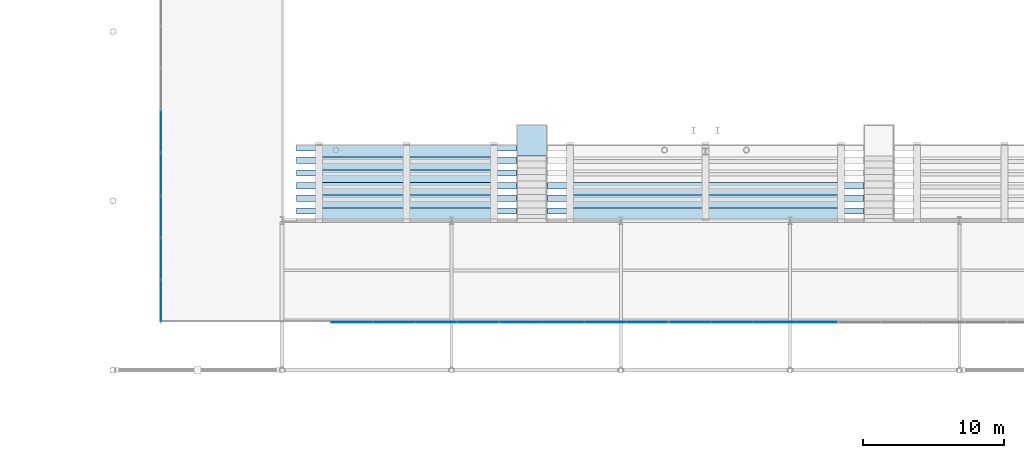
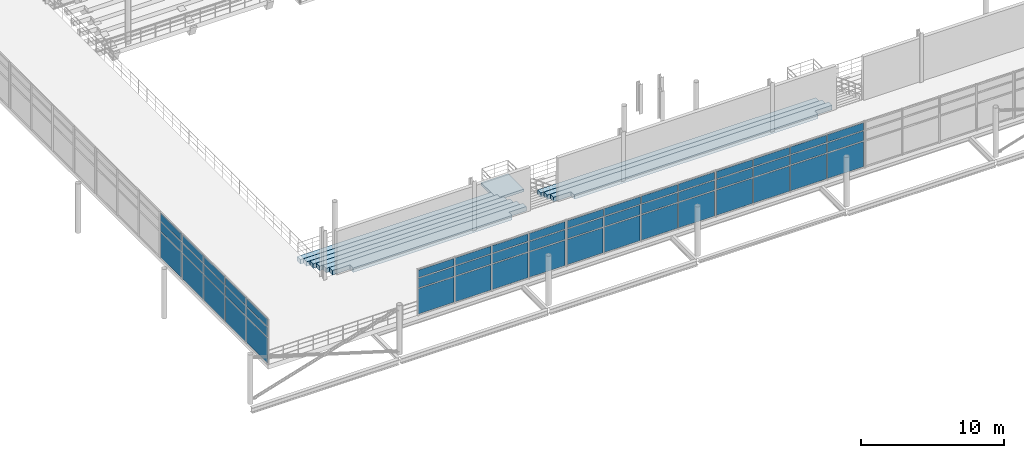
# One storey, part 54 of 89: 51 plates, 10 slabs, 6 elements without a shape of their own.
"""IFC4 building model written with IfcOpenShell, lengths in metres."""

import ifcopenshell
import ifcopenshell.guid

model = None  # the IFC model being written
_history = None  # IfcOwnerHistory: only IFC2X3 demands one
_inside = {}  # id of a spatial element -> (the spatial element, [elements in it])
_under = {}  # id of a project, library or spatial element -> (it, [spatial elements below it])
_declared = {}  # id of a project -> (the project, [libraries it declares])
_typed = {}  # id of a type object -> (the type object, [elements of that type])
_made_of = {}  # id of a material, layer set ... -> (it, [elements and type objects made of it])


def new_model(schema):
    """Start an empty IFC model of exactly this schema.

    Asked for "IFC4X3", IfcOpenShell would pick the latest addendum, in which some entities
    have other attributes; the version numbers below select the first issue.
    IFC2X3 requires an IfcOwnerHistory on every rooted entity: one is made here for all.
    """
    global model, _history
    if schema == "IFC4X3":
        model = ifcopenshell.file(schema_version=(4, 3, 0, 0))
    else:
        model = ifcopenshell.file(schema=schema)
    _inside.clear()
    _under.clear()
    _declared.clear()
    _typed.clear()
    _made_of.clear()
    _history = None
    if model.schema == "IFC2X3":
        org = make("IfcOrganization", Name="unknown")
        user = make(
            "IfcPersonAndOrganization",
            ThePerson=make("IfcPerson", FamilyName="unknown"),
            TheOrganization=org,
        )
        app = make(
            "IfcApplication",
            ApplicationDeveloper=org,
            Version="unknown",
            ApplicationFullName="unknown",
            ApplicationIdentifier="unknown",
        )
        _history = make(
            "IfcOwnerHistory",
            OwningUser=user,
            OwningApplication=app,
            ChangeAction="ADDED",
            CreationDate=0,
        )
    return model


def make(cls, **values):
    """One entity of the class cls with the attributes given. An attribute that is None is left unset."""
    return model.create_entity(
        cls, **{name: value for name, value in values.items() if value is not None}
    )


def rooted(cls, **values):
    """An entity with a GlobalId (a new one), such as an element, a storey or a relation."""
    return make(cls, GlobalId=ifcopenshell.guid.new(), OwnerHistory=_history, **values)


def si_unit(unit_type, name, prefix=None):
    """IfcSIUnit, for example si_unit("LENGTHUNIT", "METRE", prefix="MILLI")."""
    return make("IfcSIUnit", UnitType=unit_type, Prefix=prefix, Name=name)


def assignment(units):
    """IfcUnitAssignment: the units of a project."""
    return None if units is None else make("IfcUnitAssignment", Units=units)


def point(xyz):
    """IfcCartesianPoint."""
    return None if xyz is None else make("IfcCartesianPoint", Coordinates=xyz)


def direction(xyz):
    """IfcDirection."""
    return None if xyz is None else make("IfcDirection", DirectionRatios=xyz)


def frame(location, z_axis=None, x_axis=None):
    """IfcAxis2Placement3D, a coordinate frame: its origin and axes. An axis left out is left unset."""
    return make(
        "IfcAxis2Placement3D",
        Location=point(location),
        Axis=direction(z_axis),
        RefDirection=direction(x_axis),
    )


def frame_2d(location, x_axis=None):
    """IfcAxis2Placement2D, a coordinate frame in the plane: its origin and x axis."""
    return make(
        "IfcAxis2Placement2D", Location=point(location), RefDirection=direction(x_axis)
    )


def origin():
    """The frame at (0, 0, 0) with its axes left unset."""
    return frame((0.0, 0.0, 0.0))


def origin_2d():
    """The frame at (0, 0) in the plane with its x axis left unset."""
    return frame_2d((0.0, 0.0))


def place(relative_to, where):
    """IfcLocalPlacement: puts the frame where relative to a parent placement (None: the world)."""
    return make(
        "IfcLocalPlacement", PlacementRelTo=relative_to, RelativePlacement=where
    )


def context(
    kind, dimensions, precision=None, world=None, true_north=None, identifier=None
):
    """IfcGeometricRepresentationContext, for example the 3D "Model" context."""
    return make(
        "IfcGeometricRepresentationContext",
        ContextIdentifier=identifier,
        ContextType=kind,
        CoordinateSpaceDimension=dimensions,
        Precision=precision,
        WorldCoordinateSystem=world,
        TrueNorth=true_north,
    )


def subcontext(parent, identifier, kind, view, scale=None):
    """IfcGeometricRepresentationSubContext, for example "Body" below "Model"."""
    return make(
        "IfcGeometricRepresentationSubContext",
        ContextIdentifier=identifier,
        ContextType=kind,
        ParentContext=parent,
        TargetScale=scale,
        TargetView=view,
    )


def project(units=None, contexts=None):
    """IfcProject with its units and contexts."""
    return rooted(
        "IfcProject",
        Name="project",
        RepresentationContexts=contexts,
        UnitsInContext=assignment(units),
    )


def spatial(cls, under=None, at=None, **own):
    """A site, building, storey or space (cls), placed at a placement, below another one or the project."""
    s = rooted(cls, ObjectPlacement=at, **own)
    if under is not None:
        _under.setdefault(under.id(), (under, []))[1].append(s)
    return s


def polyline(points):
    """IfcPolyline through the points."""
    return make("IfcPolyline", Points=[point(p) for p in points])


def profile(cls, at=None, kind="AREA", **sizes):
    """A parametric profile (cls). Its sizes go by their IFC names, for example OverallWidth=200.0."""
    return make(cls, ProfileType=kind, Position=at, **sizes)


def rectangle(**sizes):
    """IfcRectangleProfileDef."""
    return profile("IfcRectangleProfileDef", **sizes)


def outline(outer, holes=None, kind="AREA"):
    """IfcArbitraryClosedProfileDef: a profile drawn as a closed curve; with holes, ...WithVoids."""
    if holes is None:
        return make("IfcArbitraryClosedProfileDef", ProfileType=kind, OuterCurve=outer)
    return make(
        "IfcArbitraryProfileDefWithVoids",
        ProfileType=kind,
        OuterCurve=outer,
        InnerCurves=holes,
    )


def extrude(swept, where, along, depth):
    """IfcExtrudedAreaSolid: the profile swept, set in the frame where, extruded along a direction by depth."""
    return make(
        "IfcExtrudedAreaSolid",
        SweptArea=swept,
        Position=where,
        ExtrudedDirection=direction(along),
        Depth=depth,
    )


def shape(context_of_items, identifier, shape_type, items):
    """IfcShapeRepresentation: the items that make up one representation, for example the "Body"."""
    return make(
        "IfcShapeRepresentation",
        ContextOfItems=context_of_items,
        RepresentationIdentifier=identifier,
        RepresentationType=shape_type,
        Items=items,
    )


def material(Name=None, Category=None):
    """IfcMaterial."""
    return make("IfcMaterial", Name=Name, Category=Category)


def layer(
    of_material, thickness, ventilated=None, Name=None, Category=None, Priority=None
):
    """IfcMaterialLayer: one layer of a wall or slab, of a material (None: an air gap)."""
    return make(
        "IfcMaterialLayer",
        Material=of_material,
        LayerThickness=thickness,
        IsVentilated=ventilated,
        Name=Name,
        Category=Category,
        Priority=Priority,
    )


def layer_set(layers, Name=None):
    """IfcMaterialLayerSet."""
    return make("IfcMaterialLayerSet", MaterialLayers=layers, LayerSetName=Name)


def made_of(thing, what):
    """Note that an element or type object is made of a material, layer set ...; save() writes the relation."""
    if what is not None:
        _made_of.setdefault(what.id(), (what, []))[1].append(thing)
    return thing


def type_object(cls, material=None, **own):
    """A type object (cls), such as IfcWallType, which elements share."""
    return made_of(rooted(cls, **own), material)


def element(
    cls,
    number,
    at=None,
    inside=None,
    cuts=None,
    type_object=None,
    material=None,
    context=None,
    identifier="Body",
    shape_type=None,
    held_by="IfcProductDefinitionShape",
    body=None,
    shapes=None,
    **own,
):
    """One element of the class cls, such as IfcWall. Its Tag is "e" and its number.

    at: its placement. inside: the storey or other place that contains it. cuts: it is an
    opening in that element (IfcRelVoidsElement). A single representation is given by context,
    identifier, shape_type and body (its items); several are given by shapes. held_by: the class
    of the entity that holds the representations. save() writes the other relations.
    """
    e = rooted(cls, Tag="e%d" % number, ObjectPlacement=at, **own)
    if body is not None:
        shapes = [shape(context, identifier, shape_type, body)]
    if shapes is not None:
        e.Representation = make(held_by, Representations=shapes)
    if inside is not None:
        _inside.setdefault(inside.id(), (inside, []))[1].append(e)
    if cuts is not None:
        rooted(
            "IfcRelVoidsElement", RelatingBuildingElement=cuts, RelatedOpeningElement=e
        )
    if type_object is not None:
        _typed.setdefault(type_object.id(), (type_object, []))[1].append(e)
    return made_of(e, material)


def aggregate(whole, parts):
    """IfcRelAggregates: a whole, such as a stair, and the parts it consists of."""
    return rooted("IfcRelAggregates", RelatingObject=whole, RelatedObjects=parts)


def save(model, path):
    """Write the relations noted so far, then the file.

    IfcRelAggregates (storeys below a building ...), IfcRelContainedInSpatialStructure (elements
    in a storey), IfcRelDefinesByType, IfcRelAssociatesMaterial and IfcRelDeclares: one each for
    every whole, place, type object, material and project.
    """
    for whole, parts in _under.values():
        aggregate(whole, parts)
    for where, things in _inside.values():
        rooted(
            "IfcRelContainedInSpatialStructure",
            RelatedElements=things,
            RelatingStructure=where,
        )
    for kind, things in _typed.values():
        rooted("IfcRelDefinesByType", RelatedObjects=things, RelatingType=kind)
    for what, things in _made_of.values():
        rooted("IfcRelAssociatesMaterial", RelatedObjects=things, RelatingMaterial=what)
    for by, libraries in _declared.values():
        rooted("IfcRelDeclares", RelatingContext=by, RelatedDefinitions=libraries)
    model.write(path)


model = new_model("IFC4")

# Units and contexts
model_context = context("Model", 3, precision=1e-05, world=origin(), true_north=direction((0.0, 1.0)))
body_context = subcontext(model_context, "Body", "Model", "MODEL_VIEW")
ifc_project = project(units=[si_unit("LENGTHUNIT", "METRE"), si_unit("AREAUNIT", "SQUARE_METRE"), si_unit("VOLUMEUNIT", "CUBIC_METRE"), si_unit("PLANEANGLEUNIT", "RADIAN"), si_unit("MASSUNIT", "GRAM", prefix="KILO"), si_unit("THERMODYNAMICTEMPERATUREUNIT", "KELVIN"), si_unit("POWERUNIT", "WATT")], contexts=[model_context])

# Site, building, storey
site_placement = place(None, origin())
site = spatial("IfcSite", under=ifc_project, at=site_placement, CompositionType="ELEMENT")
building_placement = place(site_placement, origin())
building = spatial("IfcBuilding", under=site, at=building_placement, Name="Solmara Park Aquatics Centre", CompositionType="ELEMENT")
storey_placement = place(building_placement, frame((0.0, 0.0, 5.39990234375)))
storey = spatial("IfcBuildingStorey", under=building, at=storey_placement, Name="L01", CompositionType="ELEMENT", Elevation=5.39990234375)

# Curtain wall, plates
ifc_material_1 = material(Name="Anodised Aluminium Curtain Wall Framing", Category="aluminium")
curtain_wall_type = type_object("IfcCurtainWallType", Name="ARC-CW-SYS05", PredefinedType="USERDEFINED", material=ifc_material_1)
curtain_wall_1_placement = place(storey_placement, origin())
curtain_wall_1 = element("IfcCurtainWall", 1, at=curtain_wall_1_placement, inside=storey, type_object=curtain_wall_type, Name="Curtain Wall CW-002", ObjectType="CURTAIN WALL", PredefinedType="USERDEFINED")
ifc_material_2 = material(Name="Double Low-E Solar-Control Glazing", Category="glass")
ifc_layer_1 = layer(ifc_material_2, 0.031982421875, Name="Double Low-E Solar-Control Glazing")
ifc_layer_set_1 = layer_set([ifc_layer_1], Name="Double Low-E Solar-Control Glazing")
plate_type_1 = type_object("IfcPlateType", Name="ARC-CWP-GLZ32-2900x2140", PredefinedType="CURTAIN_PANEL", material=ifc_layer_set_1)
plate_1_placement = place(storey_placement, frame((29.510009765625, 16.0, 0.080078125), z_axis=(0.0, 0.0, 1.0), x_axis=(1.0, 0.0, 0.0)))
plate_1 = element("IfcPlate", 2, at=plate_1_placement, type_object=plate_type_1, Name="CW-002 panel 1", PredefinedType="CURTAIN_PANEL", context=body_context, shape_type="SweptSolid", body=[
    extrude(rectangle(XDim=2.89990234375, YDim=0.031982421875, at=origin_2d()), origin(), (0.0, 0.0, 1.0), 2.14208984375),
])
plate_2_placement = place(storey_placement, frame((32.489990234375, 16.0, 0.080078125), z_axis=(0.0, 0.0, 1.0), x_axis=(1.0, 0.0, 0.0)))
plate_2 = element("IfcPlate", 3, at=plate_2_placement, type_object=plate_type_1, Name="CW-002 panel 4", PredefinedType="CURTAIN_PANEL", context=body_context, shape_type="SweptSolid", body=[
    extrude(rectangle(XDim=2.89990234375, YDim=0.031982421875, at=origin_2d()), origin(), (0.0, 0.0, 1.0), 2.14208984375),
])
plate_3_placement = place(storey_placement, frame((35.469970703125, 16.0, 0.080078125), z_axis=(0.0, 0.0, 1.0), x_axis=(1.0, 0.0, 0.0)))
plate_3 = element("IfcPlate", 4, at=plate_3_placement, type_object=plate_type_1, Name="CW-002 panel 7", PredefinedType="CURTAIN_PANEL", context=body_context, shape_type="SweptSolid", body=[
    extrude(rectangle(XDim=2.89990234375, YDim=0.031982421875, at=origin_2d()), origin(), (0.0, 0.0, 1.0), 2.14208984375),
])
plate_4_placement = place(storey_placement, frame((38.449951171875, 16.0, 0.080078125), z_axis=(0.0, 0.0, 1.0), x_axis=(1.0, 0.0, 0.0)))
plate_4 = element("IfcPlate", 5, at=plate_4_placement, type_object=plate_type_1, Name="CW-002 panel 10", PredefinedType="CURTAIN_PANEL", context=body_context, shape_type="SweptSolid", body=[
    extrude(rectangle(XDim=2.89990234375, YDim=0.031982421875, at=origin_2d()), origin(), (0.0, 0.0, 1.0), 2.14208984375),
])

curtain_wall_2_placement = place(storey_placement, origin())
curtain_wall_2 = element("IfcCurtainWall", 6, at=curtain_wall_2_placement, inside=storey, type_object=curtain_wall_type, Name="Curtain Wall CW-004", ObjectType="CURTAIN WALL", PredefinedType="USERDEFINED")
plate_5_placement = place(storey_placement, frame((41.510009765625, 16.0, 0.080078125), z_axis=(0.0, 0.0, 1.0), x_axis=(1.0, 0.0, 0.0)))
plate_5 = element("IfcPlate", 7, at=plate_5_placement, type_object=plate_type_1, Name="CW-004 panel 1", PredefinedType="CURTAIN_PANEL", context=body_context, shape_type="SweptSolid", body=[
    extrude(rectangle(XDim=2.89990234375, YDim=0.031982421875, at=origin_2d()), origin(), (0.0, 0.0, 1.0), 2.14208984375),
])
plate_6_placement = place(storey_placement, frame((44.489990234375, 16.0, 0.080078125), z_axis=(0.0, 0.0, 1.0), x_axis=(1.0, 0.0, 0.0)))
plate_6 = element("IfcPlate", 8, at=plate_6_placement, type_object=plate_type_1, Name="CW-004 panel 4", PredefinedType="CURTAIN_PANEL", context=body_context, shape_type="SweptSolid", body=[
    extrude(rectangle(XDim=2.89990234375, YDim=0.031982421875, at=origin_2d()), origin(), (0.0, 0.0, 1.0), 2.14208984375),
])
plate_7_placement = place(storey_placement, frame((47.469970703125, 16.0, 0.080078125), z_axis=(0.0, 0.0, 1.0), x_axis=(1.0, 0.0, 0.0)))
plate_7 = element("IfcPlate", 9, at=plate_7_placement, type_object=plate_type_1, Name="CW-004 panel 7", PredefinedType="CURTAIN_PANEL", context=body_context, shape_type="SweptSolid", body=[
    extrude(rectangle(XDim=2.89990234375, YDim=0.031982421875, at=origin_2d()), origin(), (0.0, 0.0, 1.0), 2.14208984375),
])
plate_8_placement = place(storey_placement, frame((50.449951171875, 16.0, 0.080078125), z_axis=(0.0, 0.0, 1.0), x_axis=(1.0, 0.0, 0.0)))
plate_8 = element("IfcPlate", 10, at=plate_8_placement, type_object=plate_type_1, Name="CW-004 panel 10", PredefinedType="CURTAIN_PANEL", context=body_context, shape_type="SweptSolid", body=[
    extrude(rectangle(XDim=2.89990234375, YDim=0.031982421875, at=origin_2d()), origin(), (0.0, 0.0, 1.0), 2.14208984375),
])

curtain_wall_3_placement = place(storey_placement, origin())
curtain_wall_3 = element("IfcCurtainWall", 11, at=curtain_wall_3_placement, inside=storey, type_object=curtain_wall_type, Name="Curtain Wall CW-006", ObjectType="CURTAIN WALL", PredefinedType="USERDEFINED")
plate_9_placement = place(storey_placement, frame((53.510009765625, 16.0, 0.080078125), z_axis=(0.0, 0.0, 1.0), x_axis=(1.0, 0.0, 0.0)))
plate_9 = element("IfcPlate", 12, at=plate_9_placement, type_object=plate_type_1, Name="CW-006 panel 1", PredefinedType="CURTAIN_PANEL", context=body_context, shape_type="SweptSolid", body=[
    extrude(rectangle(XDim=2.89990234375, YDim=0.031982421875, at=origin_2d()), origin(), (0.0, 0.0, 1.0), 2.14208984375),
])
plate_10_placement = place(storey_placement, frame((56.489990234375, 16.0, 0.080078125), z_axis=(0.0, 0.0, 1.0), x_axis=(1.0, 0.0, 0.0)))
plate_10 = element("IfcPlate", 13, at=plate_10_placement, type_object=plate_type_1, Name="CW-006 panel 4", PredefinedType="CURTAIN_PANEL", context=body_context, shape_type="SweptSolid", body=[
    extrude(rectangle(XDim=2.89990234375, YDim=0.031982421875, at=origin_2d()), origin(), (0.0, 0.0, 1.0), 2.14208984375),
])
plate_11_placement = place(storey_placement, frame((59.469970703125, 16.0, 0.080078125), z_axis=(0.0, 0.0, 1.0), x_axis=(1.0, 0.0, 0.0)))
plate_11 = element("IfcPlate", 14, at=plate_11_placement, type_object=plate_type_1, Name="CW-006 panel 7", PredefinedType="CURTAIN_PANEL", context=body_context, shape_type="SweptSolid", body=[
    extrude(rectangle(XDim=2.89990234375, YDim=0.031982421875, at=origin_2d()), origin(), (0.0, 0.0, 1.0), 2.14208984375),
])
plate_12_placement = place(storey_placement, frame((62.449951171875, 16.0, 0.080078125), z_axis=(0.0, 0.0, 1.0), x_axis=(1.0, 0.0, 0.0)))
plate_12 = element("IfcPlate", 15, at=plate_12_placement, type_object=plate_type_1, Name="CW-006 panel 10", PredefinedType="CURTAIN_PANEL", context=body_context, shape_type="SweptSolid", body=[
    extrude(rectangle(XDim=2.89990234375, YDim=0.031982421875, at=origin_2d()), origin(), (0.0, 0.0, 1.0), 2.14208984375),
])

# Plate
ifc_layer_2 = layer(ifc_material_2, 0.031982421875, Name="Double Low-E Solar-Control Glazing")
ifc_layer_set_2 = layer_set([ifc_layer_2], Name="Double Low-E Solar-Control Glazing")
plate_type_2 = type_object("IfcPlateType", Name="ARC-CWP-GLZ32-2900x800", PredefinedType="CURTAIN_PANEL", material=ifc_layer_set_2)
plate_13_placement = place(storey_placement, frame((29.510009765625, 16.0, 2.302001953125), z_axis=(0.0, 0.0, 1.0), x_axis=(1.0, 0.0, 0.0)))
plate_13 = element("IfcPlate", 16, at=plate_13_placement, type_object=plate_type_2, Name="CW-002 panel 2", PredefinedType="CURTAIN_PANEL", context=body_context, shape_type="SweptSolid", body=[
    extrude(rectangle(XDim=2.89990234375, YDim=0.031982421875, at=origin_2d()), origin(), (0.0, 0.0, 1.0), 0.80810546875),
])

plate_14_placement = place(storey_placement, frame((32.489990234375, 16.0, 2.302001953125), z_axis=(0.0, 0.0, 1.0), x_axis=(1.0, 0.0, 0.0)))
plate_14 = element("IfcPlate", 17, at=plate_14_placement, type_object=plate_type_2, Name="CW-002 panel 5", PredefinedType="CURTAIN_PANEL", context=body_context, shape_type="SweptSolid", body=[
    extrude(rectangle(XDim=2.89990234375, YDim=0.031982421875, at=origin_2d()), origin(), (0.0, 0.0, 1.0), 0.80810546875),
])

plate_15_placement = place(storey_placement, frame((35.469970703125, 16.0, 2.302001953125), z_axis=(0.0, 0.0, 1.0), x_axis=(1.0, 0.0, 0.0)))
plate_15 = element("IfcPlate", 18, at=plate_15_placement, type_object=plate_type_2, Name="CW-002 panel 8", PredefinedType="CURTAIN_PANEL", context=body_context, shape_type="SweptSolid", body=[
    extrude(rectangle(XDim=2.89990234375, YDim=0.031982421875, at=origin_2d()), origin(), (0.0, 0.0, 1.0), 0.80810546875),
])

plate_16_placement = place(storey_placement, frame((38.449951171875, 16.0, 2.302001953125), z_axis=(0.0, 0.0, 1.0), x_axis=(1.0, 0.0, 0.0)))
plate_16 = element("IfcPlate", 19, at=plate_16_placement, type_object=plate_type_2, Name="CW-002 panel 11", PredefinedType="CURTAIN_PANEL", context=body_context, shape_type="SweptSolid", body=[
    extrude(rectangle(XDim=2.89990234375, YDim=0.031982421875, at=origin_2d()), origin(), (0.0, 0.0, 1.0), 0.80810546875),
])

plate_17_placement = place(storey_placement, frame((41.510009765625, 16.0, 2.302001953125), z_axis=(0.0, 0.0, 1.0), x_axis=(1.0, 0.0, 0.0)))
plate_17 = element("IfcPlate", 20, at=plate_17_placement, type_object=plate_type_2, Name="CW-004 panel 2", PredefinedType="CURTAIN_PANEL", context=body_context, shape_type="SweptSolid", body=[
    extrude(rectangle(XDim=2.89990234375, YDim=0.031982421875, at=origin_2d()), origin(), (0.0, 0.0, 1.0), 0.80810546875),
])

plate_18_placement = place(storey_placement, frame((44.489990234375, 16.0, 2.302001953125), z_axis=(0.0, 0.0, 1.0), x_axis=(1.0, 0.0, 0.0)))
plate_18 = element("IfcPlate", 21, at=plate_18_placement, type_object=plate_type_2, Name="CW-004 panel 5", PredefinedType="CURTAIN_PANEL", context=body_context, shape_type="SweptSolid", body=[
    extrude(rectangle(XDim=2.89990234375, YDim=0.031982421875, at=origin_2d()), origin(), (0.0, 0.0, 1.0), 0.80810546875),
])

plate_19_placement = place(storey_placement, frame((47.469970703125, 16.0, 2.302001953125), z_axis=(0.0, 0.0, 1.0), x_axis=(1.0, 0.0, 0.0)))
plate_19 = element("IfcPlate", 22, at=plate_19_placement, type_object=plate_type_2, Name="CW-004 panel 8", PredefinedType="CURTAIN_PANEL", context=body_context, shape_type="SweptSolid", body=[
    extrude(rectangle(XDim=2.89990234375, YDim=0.031982421875, at=origin_2d()), origin(), (0.0, 0.0, 1.0), 0.80810546875),
])

plate_20_placement = place(storey_placement, frame((50.449951171875, 16.0, 2.302001953125), z_axis=(0.0, 0.0, 1.0), x_axis=(1.0, 0.0, 0.0)))
plate_20 = element("IfcPlate", 23, at=plate_20_placement, type_object=plate_type_2, Name="CW-004 panel 11", PredefinedType="CURTAIN_PANEL", context=body_context, shape_type="SweptSolid", body=[
    extrude(rectangle(XDim=2.89990234375, YDim=0.031982421875, at=origin_2d()), origin(), (0.0, 0.0, 1.0), 0.80810546875),
])

plate_21_placement = place(storey_placement, frame((53.510009765625, 16.0, 2.302001953125), z_axis=(0.0, 0.0, 1.0), x_axis=(1.0, 0.0, 0.0)))
plate_21 = element("IfcPlate", 24, at=plate_21_placement, type_object=plate_type_2, Name="CW-006 panel 2", PredefinedType="CURTAIN_PANEL", context=body_context, shape_type="SweptSolid", body=[
    extrude(rectangle(XDim=2.89990234375, YDim=0.031982421875, at=origin_2d()), origin(), (0.0, 0.0, 1.0), 0.80810546875),
])

plate_22_placement = place(storey_placement, frame((56.489990234375, 16.0, 2.302001953125), z_axis=(0.0, 0.0, 1.0), x_axis=(1.0, 0.0, 0.0)))
plate_22 = element("IfcPlate", 25, at=plate_22_placement, type_object=plate_type_2, Name="CW-006 panel 5", PredefinedType="CURTAIN_PANEL", context=body_context, shape_type="SweptSolid", body=[
    extrude(rectangle(XDim=2.89990234375, YDim=0.031982421875, at=origin_2d()), origin(), (0.0, 0.0, 1.0), 0.80810546875),
])

plate_23_placement = place(storey_placement, frame((59.469970703125, 16.0, 2.302001953125), z_axis=(0.0, 0.0, 1.0), x_axis=(1.0, 0.0, 0.0)))
plate_23 = element("IfcPlate", 26, at=plate_23_placement, type_object=plate_type_2, Name="CW-006 panel 8", PredefinedType="CURTAIN_PANEL", context=body_context, shape_type="SweptSolid", body=[
    extrude(rectangle(XDim=2.89990234375, YDim=0.031982421875, at=origin_2d()), origin(), (0.0, 0.0, 1.0), 0.80810546875),
])

plate_24_placement = place(storey_placement, frame((62.449951171875, 16.0, 2.302001953125), z_axis=(0.0, 0.0, 1.0), x_axis=(1.0, 0.0, 0.0)))
plate_24 = element("IfcPlate", 27, at=plate_24_placement, type_object=plate_type_2, Name="CW-006 panel 11", PredefinedType="CURTAIN_PANEL", context=body_context, shape_type="SweptSolid", body=[
    extrude(rectangle(XDim=2.89990234375, YDim=0.031982421875, at=origin_2d()), origin(), (0.0, 0.0, 1.0), 0.80810546875),
])

# Curtain wall, plates
curtain_wall_4_placement = place(storey_placement, origin())
curtain_wall_4 = element("IfcCurtainWall", 28, at=curtain_wall_4_placement, inside=storey, type_object=curtain_wall_type, Name="Curtain Wall CW-012", ObjectType="CURTAIN WALL", PredefinedType="USERDEFINED")
ifc_layer_3 = layer(ifc_material_2, 0.035888671875, Name="Double Low-E Solar-Control Glazing")
ifc_layer_set_3 = layer_set([ifc_layer_3], Name="Double Low-E Solar-Control Glazing")
plate_type_3 = type_object("IfcPlateType", Name="ARC-CWP-GLZ36-2900x2140", PredefinedType="CURTAIN_PANEL", material=ifc_layer_set_3)
plate_25_placement = place(storey_placement, frame((16.0, 17.510009765625, 0.080078125), z_axis=(0.0, 0.0, 1.0), x_axis=(0.0, 1.0, 0.0)))
plate_25 = element("IfcPlate", 29, at=plate_25_placement, type_object=plate_type_3, Name="CW-012 panel 1", PredefinedType="CURTAIN_PANEL", context=body_context, shape_type="SweptSolid", body=[
    extrude(rectangle(XDim=2.89990234375, YDim=0.035888671875, at=origin_2d()), origin(), (0.0, 0.0, 1.0), 2.14208984375),
])
plate_26_placement = place(storey_placement, frame((16.0, 20.489990234375, 0.080078125), z_axis=(0.0, 0.0, 1.0), x_axis=(0.0, 1.0, 0.0)))
plate_26 = element("IfcPlate", 30, at=plate_26_placement, type_object=plate_type_3, Name="CW-012 panel 4", PredefinedType="CURTAIN_PANEL", context=body_context, shape_type="SweptSolid", body=[
    extrude(rectangle(XDim=2.89990234375, YDim=0.035888671875, at=origin_2d()), origin(), (0.0, 0.0, 1.0), 2.14208984375),
])
plate_27_placement = place(storey_placement, frame((16.0, 23.469970703125, 0.080078125), z_axis=(0.0, 0.0, 1.0), x_axis=(0.0, 1.0, 0.0)))
plate_27 = element("IfcPlate", 31, at=plate_27_placement, type_object=plate_type_3, Name="CW-012 panel 7", PredefinedType="CURTAIN_PANEL", context=body_context, shape_type="SweptSolid", body=[
    extrude(rectangle(XDim=2.89990234375, YDim=0.035888671875, at=origin_2d()), origin(), (0.0, 0.0, 1.0), 2.14208984375),
])
plate_28_placement = place(storey_placement, frame((16.0, 26.449951171875, 0.080078125), z_axis=(0.0, 0.0, 1.0), x_axis=(0.0, 1.0, 0.0)))
plate_28 = element("IfcPlate", 32, at=plate_28_placement, type_object=plate_type_3, Name="CW-012 panel 10", PredefinedType="CURTAIN_PANEL", context=body_context, shape_type="SweptSolid", body=[
    extrude(rectangle(XDim=2.89990234375, YDim=0.035888671875, at=origin_2d()), origin(), (0.0, 0.0, 1.0), 2.14208984375),
])

# Curtain wall, plate
curtain_wall_5_placement = place(storey_placement, origin())
curtain_wall_5 = element("IfcCurtainWall", 33, at=curtain_wall_5_placement, inside=storey, type_object=curtain_wall_type, Name="Curtain Wall CW-014", ObjectType="CURTAIN WALL", PredefinedType="USERDEFINED")
plate_29_placement = place(storey_placement, frame((16.0, 29.510009765625, 0.080078125), z_axis=(0.0, 0.0, 1.0), x_axis=(0.0, 1.0, 0.0)))
plate_29 = element("IfcPlate", 34, at=plate_29_placement, type_object=plate_type_3, Name="CW-014 panel 1", PredefinedType="CURTAIN_PANEL", context=body_context, shape_type="SweptSolid", body=[
    extrude(rectangle(XDim=2.89990234375, YDim=0.035888671875, at=origin_2d()), origin(), (0.0, 0.0, 1.0), 2.14208984375),
])

# Plate
ifc_layer_4 = layer(ifc_material_2, 0.035888671875, Name="Double Low-E Solar-Control Glazing")
ifc_layer_set_4 = layer_set([ifc_layer_4], Name="Double Low-E Solar-Control Glazing")
plate_type_4 = type_object("IfcPlateType", Name="ARC-CWP-GLZ36-2900x800", PredefinedType="CURTAIN_PANEL", material=ifc_layer_set_4)
plate_30_placement = place(storey_placement, frame((16.0, 17.510009765625, 2.302001953125), z_axis=(0.0, 0.0, 1.0), x_axis=(0.0, 1.0, 0.0)))
plate_30 = element("IfcPlate", 35, at=plate_30_placement, type_object=plate_type_4, Name="CW-012 panel 2", PredefinedType="CURTAIN_PANEL", context=body_context, shape_type="SweptSolid", body=[
    extrude(rectangle(XDim=2.89990234375, YDim=0.035888671875, at=origin_2d()), origin(), (0.0, 0.0, 1.0), 0.80810546875),
])

plate_31_placement = place(storey_placement, frame((16.0, 20.489990234375, 2.302001953125), z_axis=(0.0, 0.0, 1.0), x_axis=(0.0, 1.0, 0.0)))
plate_31 = element("IfcPlate", 36, at=plate_31_placement, type_object=plate_type_4, Name="CW-012 panel 5", PredefinedType="CURTAIN_PANEL", context=body_context, shape_type="SweptSolid", body=[
    extrude(rectangle(XDim=2.89990234375, YDim=0.035888671875, at=origin_2d()), origin(), (0.0, 0.0, 1.0), 0.80810546875),
])

plate_32_placement = place(storey_placement, frame((16.0, 23.469970703125, 2.302001953125), z_axis=(0.0, 0.0, 1.0), x_axis=(0.0, 1.0, 0.0)))
plate_32 = element("IfcPlate", 37, at=plate_32_placement, type_object=plate_type_4, Name="CW-012 panel 8", PredefinedType="CURTAIN_PANEL", context=body_context, shape_type="SweptSolid", body=[
    extrude(rectangle(XDim=2.89990234375, YDim=0.035888671875, at=origin_2d()), origin(), (0.0, 0.0, 1.0), 0.80810546875),
])

plate_33_placement = place(storey_placement, frame((16.0, 26.449951171875, 2.302001953125), z_axis=(0.0, 0.0, 1.0), x_axis=(0.0, 1.0, 0.0)))
plate_33 = element("IfcPlate", 38, at=plate_33_placement, type_object=plate_type_4, Name="CW-012 panel 11", PredefinedType="CURTAIN_PANEL", context=body_context, shape_type="SweptSolid", body=[
    extrude(rectangle(XDim=2.89990234375, YDim=0.035888671875, at=origin_2d()), origin(), (0.0, 0.0, 1.0), 0.80810546875),
])

plate_34_placement = place(storey_placement, frame((16.0, 29.510009765625, 2.302001953125), z_axis=(0.0, 0.0, 1.0), x_axis=(0.0, 1.0, 0.0)))
plate_34 = element("IfcPlate", 39, at=plate_34_placement, type_object=plate_type_4, Name="CW-014 panel 2", PredefinedType="CURTAIN_PANEL", context=body_context, shape_type="SweptSolid", body=[
    extrude(rectangle(XDim=2.89990234375, YDim=0.035888671875, at=origin_2d()), origin(), (0.0, 0.0, 1.0), 0.80810546875),
])

ifc_material_3 = material(Name="Golden-Ochre Enamelled Aluminium Fascia Panel", Category="aluminium")
ifc_layer_5 = layer(ifc_material_3, 0.0400390625, Name="Golden-Ochre Enamelled Aluminium Fascia Panel")
ifc_layer_set_5 = layer_set([ifc_layer_5], Name="Golden-Ochre Enamelled Aluminium Fascia Panel")
plate_type_5 = type_object("IfcPlateType", Name="ARC-CWP-OCH40-2900x640", PredefinedType="CURTAIN_PANEL", material=ifc_layer_set_5)
plate_35_placement = place(storey_placement, frame((41.510009765625, 16.0, 3.190185546875), z_axis=(0.0, 0.0, 1.0), x_axis=(1.0, 0.0, 0.0)))
plate_35 = element("IfcPlate", 40, at=plate_35_placement, type_object=plate_type_5, Name="CW-004 panel 3", PredefinedType="CURTAIN_PANEL", context=body_context, shape_type="SweptSolid", body=[
    extrude(rectangle(XDim=2.89990234375, YDim=0.0400390625, at=origin_2d()), origin(), (0.0, 0.0, 1.0), 0.6298828125),
])

plate_36_placement = place(storey_placement, frame((44.489990234375, 16.0, 3.190185546875), z_axis=(0.0, 0.0, 1.0), x_axis=(1.0, 0.0, 0.0)))
plate_36 = element("IfcPlate", 41, at=plate_36_placement, type_object=plate_type_5, Name="CW-004 panel 6", PredefinedType="CURTAIN_PANEL", context=body_context, shape_type="SweptSolid", body=[
    extrude(rectangle(XDim=2.89990234375, YDim=0.0400390625, at=origin_2d()), origin(), (0.0, 0.0, 1.0), 0.6298828125),
])

plate_37_placement = place(storey_placement, frame((47.469970703125, 16.0, 3.190185546875), z_axis=(0.0, 0.0, 1.0), x_axis=(1.0, 0.0, 0.0)))
plate_37 = element("IfcPlate", 42, at=plate_37_placement, type_object=plate_type_5, Name="CW-004 panel 9", PredefinedType="CURTAIN_PANEL", context=body_context, shape_type="SweptSolid", body=[
    extrude(rectangle(XDim=2.89990234375, YDim=0.0400390625, at=origin_2d()), origin(), (0.0, 0.0, 1.0), 0.6298828125),
])

plate_38_placement = place(storey_placement, frame((50.449951171875, 16.0, 3.190185546875), z_axis=(0.0, 0.0, 1.0), x_axis=(1.0, 0.0, 0.0)))
plate_38 = element("IfcPlate", 43, at=plate_38_placement, type_object=plate_type_5, Name="CW-004 panel 12", PredefinedType="CURTAIN_PANEL", context=body_context, shape_type="SweptSolid", body=[
    extrude(rectangle(XDim=2.89990234375, YDim=0.0400390625, at=origin_2d()), origin(), (0.0, 0.0, 1.0), 0.6298828125),
])

aggregate(curtain_wall_2, [plate_5, plate_17, plate_35, plate_6, plate_18, plate_36, plate_7, plate_19, plate_37, plate_8, plate_20, plate_38])

plate_39_placement = place(storey_placement, frame((16.0, 17.510009765625, 3.190185546875), z_axis=(0.0, 0.0, 1.0), x_axis=(0.0, 1.0, 0.0)))
plate_39 = element("IfcPlate", 44, at=plate_39_placement, type_object=plate_type_5, Name="CW-012 panel 3", PredefinedType="CURTAIN_PANEL", context=body_context, shape_type="SweptSolid", body=[
    extrude(rectangle(XDim=2.89990234375, YDim=0.0400390625, at=origin_2d()), origin(), (0.0, 0.0, 1.0), 0.6298828125),
])

plate_40_placement = place(storey_placement, frame((16.0, 20.489990234375, 3.190185546875), z_axis=(0.0, 0.0, 1.0), x_axis=(0.0, 1.0, 0.0)))
plate_40 = element("IfcPlate", 45, at=plate_40_placement, type_object=plate_type_5, Name="CW-012 panel 6", PredefinedType="CURTAIN_PANEL", context=body_context, shape_type="SweptSolid", body=[
    extrude(rectangle(XDim=2.89990234375, YDim=0.0400390625, at=origin_2d()), origin(), (0.0, 0.0, 1.0), 0.6298828125),
])

plate_41_placement = place(storey_placement, frame((16.0, 23.469970703125, 3.190185546875), z_axis=(0.0, 0.0, 1.0), x_axis=(0.0, 1.0, 0.0)))
plate_41 = element("IfcPlate", 46, at=plate_41_placement, type_object=plate_type_5, Name="CW-012 panel 9", PredefinedType="CURTAIN_PANEL", context=body_context, shape_type="SweptSolid", body=[
    extrude(rectangle(XDim=2.89990234375, YDim=0.0400390625, at=origin_2d()), origin(), (0.0, 0.0, 1.0), 0.6298828125),
])

plate_42_placement = place(storey_placement, frame((16.0, 26.449951171875, 3.190185546875), z_axis=(0.0, 0.0, 1.0), x_axis=(0.0, 1.0, 0.0)))
plate_42 = element("IfcPlate", 47, at=plate_42_placement, type_object=plate_type_5, Name="CW-012 panel 12", PredefinedType="CURTAIN_PANEL", context=body_context, shape_type="SweptSolid", body=[
    extrude(rectangle(XDim=2.89990234375, YDim=0.0400390625, at=origin_2d()), origin(), (0.0, 0.0, 1.0), 0.6298828125),
])

aggregate(curtain_wall_4, [plate_25, plate_30, plate_39, plate_26, plate_31, plate_40, plate_27, plate_32, plate_41, plate_28, plate_33, plate_42])

ifc_material_4 = material(Name="Insulated Anodised Aluminium Spandrel Panel", Category="aluminium")
ifc_layer_6 = layer(ifc_material_4, 0.0439453125, Name="Insulated Anodised Aluminium Spandrel Panel")
ifc_layer_set_6 = layer_set([ifc_layer_6], Name="Insulated Anodised Aluminium Spandrel Panel")
plate_type_6 = type_object("IfcPlateType", Name="ARC-CWP-SPN44-2900x640", PredefinedType="CURTAIN_PANEL", material=ifc_layer_set_6)
plate_43_placement = place(storey_placement, frame((29.510009765625, 16.0, 3.190185546875), z_axis=(0.0, 0.0, 1.0), x_axis=(1.0, 0.0, 0.0)))
plate_43 = element("IfcPlate", 48, at=plate_43_placement, type_object=plate_type_6, Name="CW-002 panel 3", PredefinedType="CURTAIN_PANEL", context=body_context, shape_type="SweptSolid", body=[
    extrude(rectangle(XDim=2.89990234375, YDim=0.0439453125, at=origin_2d()), origin(), (0.0, 0.0, 1.0), 0.6298828125),
])

plate_44_placement = place(storey_placement, frame((32.489990234375, 16.0, 3.190185546875), z_axis=(0.0, 0.0, 1.0), x_axis=(1.0, 0.0, 0.0)))
plate_44 = element("IfcPlate", 49, at=plate_44_placement, type_object=plate_type_6, Name="CW-002 panel 6", PredefinedType="CURTAIN_PANEL", context=body_context, shape_type="SweptSolid", body=[
    extrude(rectangle(XDim=2.89990234375, YDim=0.0439453125, at=origin_2d()), origin(), (0.0, 0.0, 1.0), 0.6298828125),
])

plate_45_placement = place(storey_placement, frame((35.469970703125, 16.0, 3.190185546875), z_axis=(0.0, 0.0, 1.0), x_axis=(1.0, 0.0, 0.0)))
plate_45 = element("IfcPlate", 50, at=plate_45_placement, type_object=plate_type_6, Name="CW-002 panel 9", PredefinedType="CURTAIN_PANEL", context=body_context, shape_type="SweptSolid", body=[
    extrude(rectangle(XDim=2.89990234375, YDim=0.0439453125, at=origin_2d()), origin(), (0.0, 0.0, 1.0), 0.6298828125),
])

plate_46_placement = place(storey_placement, frame((38.449951171875, 16.0, 3.190185546875), z_axis=(0.0, 0.0, 1.0), x_axis=(1.0, 0.0, 0.0)))
plate_46 = element("IfcPlate", 51, at=plate_46_placement, type_object=plate_type_6, Name="CW-002 panel 12", PredefinedType="CURTAIN_PANEL", context=body_context, shape_type="SweptSolid", body=[
    extrude(rectangle(XDim=2.89990234375, YDim=0.0439453125, at=origin_2d()), origin(), (0.0, 0.0, 1.0), 0.6298828125),
])

aggregate(curtain_wall_1, [plate_1, plate_13, plate_43, plate_2, plate_14, plate_44, plate_3, plate_15, plate_45, plate_4, plate_16, plate_46])

plate_47_placement = place(storey_placement, frame((53.510009765625, 16.0, 3.190185546875), z_axis=(0.0, 0.0, 1.0), x_axis=(1.0, 0.0, 0.0)))
plate_47 = element("IfcPlate", 52, at=plate_47_placement, type_object=plate_type_6, Name="CW-006 panel 3", PredefinedType="CURTAIN_PANEL", context=body_context, shape_type="SweptSolid", body=[
    extrude(rectangle(XDim=2.89990234375, YDim=0.0439453125, at=origin_2d()), origin(), (0.0, 0.0, 1.0), 0.6298828125),
])

plate_48_placement = place(storey_placement, frame((56.489990234375, 16.0, 3.190185546875), z_axis=(0.0, 0.0, 1.0), x_axis=(1.0, 0.0, 0.0)))
plate_48 = element("IfcPlate", 53, at=plate_48_placement, type_object=plate_type_6, Name="CW-006 panel 6", PredefinedType="CURTAIN_PANEL", context=body_context, shape_type="SweptSolid", body=[
    extrude(rectangle(XDim=2.89990234375, YDim=0.0439453125, at=origin_2d()), origin(), (0.0, 0.0, 1.0), 0.6298828125),
])

plate_49_placement = place(storey_placement, frame((59.469970703125, 16.0, 3.190185546875), z_axis=(0.0, 0.0, 1.0), x_axis=(1.0, 0.0, 0.0)))
plate_49 = element("IfcPlate", 54, at=plate_49_placement, type_object=plate_type_6, Name="CW-006 panel 9", PredefinedType="CURTAIN_PANEL", context=body_context, shape_type="SweptSolid", body=[
    extrude(rectangle(XDim=2.89990234375, YDim=0.0439453125, at=origin_2d()), origin(), (0.0, 0.0, 1.0), 0.6298828125),
])

plate_50_placement = place(storey_placement, frame((62.449951171875, 16.0, 3.190185546875), z_axis=(0.0, 0.0, 1.0), x_axis=(1.0, 0.0, 0.0)))
plate_50 = element("IfcPlate", 55, at=plate_50_placement, type_object=plate_type_6, Name="CW-006 panel 12", PredefinedType="CURTAIN_PANEL", context=body_context, shape_type="SweptSolid", body=[
    extrude(rectangle(XDim=2.89990234375, YDim=0.0439453125, at=origin_2d()), origin(), (0.0, 0.0, 1.0), 0.6298828125),
])

aggregate(curtain_wall_3, [plate_9, plate_21, plate_47, plate_10, plate_22, plate_48, plate_11, plate_23, plate_49, plate_12, plate_24, plate_50])

plate_51_placement = place(storey_placement, frame((16.0, 29.510009765625, 3.190185546875), z_axis=(0.0, 0.0, 1.0), x_axis=(0.0, 1.0, 0.0)))
plate_51 = element("IfcPlate", 56, at=plate_51_placement, type_object=plate_type_6, Name="CW-014 panel 3", PredefinedType="CURTAIN_PANEL", context=body_context, shape_type="SweptSolid", body=[
    extrude(rectangle(XDim=2.89990234375, YDim=0.0439453125, at=origin_2d()), origin(), (0.0, 0.0, 1.0), 0.6298828125),
])

aggregate(curtain_wall_5, [plate_29, plate_34, plate_51])

# Stair, slab
ifc_material_5 = material(Name="Concrete C40/50", Category="concrete")
stair_type = type_object("IfcStairType", Name="ARC-ST-VOM1", PredefinedType="STRAIGHT_RUN_STAIR", material=ifc_material_5)
stair_placement = place(storey_placement, origin())
stair = element("IfcStair", 57, at=stair_placement, inside=storey, type_object=stair_type, Name="Vomitory Stair VS-03", PredefinedType="STRAIGHT_RUN_STAIR")
ifc_layer_7 = layer(ifc_material_5, 0.219970703125, Name="Concrete C40/50")
ifc_layer_set_7 = layer_set([ifc_layer_7], Name="Concrete C40/50")
slab_type_1 = type_object("IfcSlabType", Name="ARC-SLB-LND220", PredefinedType="LANDING", material=ifc_layer_set_7)
slab_1_placement = place(storey_placement, frame((0.0, 0.0, -2.02001953125)))
slab_1 = element("IfcSlab", 58, at=slab_1_placement, type_object=slab_type_1, Name="VS-03 landing 1", PredefinedType="LANDING", context=body_context, shape_type="SweptSolid", body=[
    extrude(outline(polyline([(41.199951171875, 27.7900390625), (43.39990234375, 27.7900390625), (43.39990234375, 29.969970703125), (41.199951171875, 29.969970703125), (41.199951171875, 27.7900390625)])), origin(), (0.0, 0.0, 1.0), 0.22021484375),
])
aggregate(stair, [slab_1])

# Slabs
ifc_material_6 = material(Name="Precast Concrete C40/50", Category="concrete")
ifc_layer_8 = layer(ifc_material_6, 0.3798828125, Name="Precast Concrete C40/50")
ifc_layer_set_8 = layer_set([ifc_layer_8], Name="Precast Concrete C40/50")
slab_type_2 = type_object("IfcSlabType", Name="STR-SLB-TIER380", PredefinedType="USERDEFINED", material=ifc_layer_set_8)
slab_2_placement = place(storey_placement, frame((0.0, 0.0, -2.179931640625)))
element("IfcSlab", 59, at=slab_2_placement, inside=storey, type_object=slab_type_2, Name="Stand Lower Tier S Bay 1 Row 1", ObjectType="SEATING TIER", PredefinedType="USERDEFINED", context=body_context, shape_type="SweptSolid", body=[
    extrude(outline(polyline([(27.0, 27.699951171875), (39.800048828125, 27.699951171875), (39.800048828125, 28.14990234375), (41.199951171875, 28.14990234375), (41.199951171875, 28.60009765625), (25.60009765625, 28.60009765625), (25.60009765625, 28.14990234375), (27.0, 28.14990234375), (27.0, 27.699951171875)])), origin(), (0.0, 0.0, 1.0), 0.380126953125),
])
slab_3_placement = place(storey_placement, frame((0.0, 0.0, -1.81982421875)))
element("IfcSlab", 60, at=slab_3_placement, inside=storey, type_object=slab_type_2, Name="Stand Lower Tier S Bay 1 Row 2", ObjectType="SEATING TIER", PredefinedType="USERDEFINED", context=body_context, shape_type="SweptSolid", body=[
    extrude(outline(polyline([(27.0, 26.800048828125), (39.800048828125, 26.800048828125), (39.800048828125, 27.25), (41.199951171875, 27.25), (41.199951171875, 27.699951171875), (25.60009765625, 27.699951171875), (25.60009765625, 27.25), (27.0, 27.25), (27.0, 26.800048828125)])), origin(), (0.0, 0.0, 1.0), 0.3798828125),
])
slab_4_placement = place(storey_placement, frame((0.0, 0.0, -1.4599609375)))
element("IfcSlab", 61, at=slab_4_placement, inside=storey, type_object=slab_type_2, Name="Stand Lower Tier S Bay 1 Row 3", ObjectType="SEATING TIER", PredefinedType="USERDEFINED", context=body_context, shape_type="SweptSolid", body=[
    extrude(outline(polyline([(27.0, 25.89990234375), (39.800048828125, 25.89990234375), (39.800048828125, 26.35009765625), (41.199951171875, 26.35009765625), (41.199951171875, 26.800048828125), (25.60009765625, 26.800048828125), (25.60009765625, 26.35009765625), (27.0, 26.35009765625), (27.0, 25.89990234375)])), origin(), (0.0, 0.0, 1.0), 0.380126953125),
])
slab_5_placement = place(storey_placement, frame((0.0, 0.0, -1.099853515625)))
element("IfcSlab", 62, at=slab_5_placement, inside=storey, type_object=slab_type_2, Name="Stand Lower Tier S Bay 1 Row 4", ObjectType="SEATING TIER", PredefinedType="USERDEFINED", context=body_context, shape_type="SweptSolid", body=[
    extrude(outline(polyline([(27.0, 25.0), (39.800048828125, 25.0), (39.800048828125, 25.449951171875), (41.199951171875, 25.449951171875), (41.199951171875, 25.89990234375), (25.60009765625, 25.89990234375), (25.60009765625, 25.449951171875), (27.0, 25.449951171875), (27.0, 25.0)])), origin(), (0.0, 0.0, 1.0), 0.3798828125),
])
slab_6_placement = place(storey_placement, frame((0.0, 0.0, -0.739990234375)))
element("IfcSlab", 63, at=slab_6_placement, inside=storey, type_object=slab_type_2, Name="Stand Lower Tier S Bay 1 Row 5", ObjectType="SEATING TIER", PredefinedType="USERDEFINED", context=body_context, shape_type="SweptSolid", body=[
    extrude(outline(polyline([(27.0, 24.10009765625), (39.800048828125, 24.10009765625), (39.800048828125, 24.550048828125), (41.199951171875, 24.550048828125), (41.199951171875, 25.0), (25.60009765625, 25.0), (25.60009765625, 24.550048828125), (27.0, 24.550048828125), (27.0, 24.10009765625)])), origin(), (0.0, 0.0, 1.0), 0.380126953125),
])
slab_7_placement = place(storey_placement, frame((0.0, 0.0, -0.3798828125)))
element("IfcSlab", 64, at=slab_7_placement, inside=storey, type_object=slab_type_2, Name="Stand Lower Tier S Bay 1 Row 6", ObjectType="SEATING TIER", PredefinedType="USERDEFINED", context=body_context, shape_type="SweptSolid", body=[
    extrude(outline(polyline([(27.0, 23.199951171875), (39.800048828125, 23.199951171875), (39.800048828125, 23.64990234375), (41.199951171875, 23.64990234375), (41.199951171875, 24.10009765625), (25.60009765625, 24.10009765625), (25.60009765625, 23.64990234375), (27.0, 23.64990234375), (27.0, 23.199951171875)])), origin(), (0.0, 0.0, 1.0), 0.3798828125),
])
slab_8_placement = place(storey_placement, frame((0.0, 0.0, -1.099853515625)))
element("IfcSlab", 65, at=slab_8_placement, inside=storey, type_object=slab_type_2, Name="Stand Lower Tier S Bay 2 Row 4", ObjectType="SEATING TIER", PredefinedType="USERDEFINED", context=body_context, shape_type="SweptSolid", body=[
    extrude(outline(polyline([(44.800048828125, 25.0), (64.39990234375, 25.0), (64.39990234375, 25.449951171875), (65.800048828125, 25.449951171875), (65.800048828125, 25.89990234375), (43.39990234375, 25.89990234375), (43.39990234375, 25.449951171875), (44.800048828125, 25.449951171875), (44.800048828125, 25.0)])), origin(), (0.0, 0.0, 1.0), 0.3798828125),
])
slab_9_placement = place(storey_placement, frame((0.0, 0.0, -0.739990234375)))
element("IfcSlab", 66, at=slab_9_placement, inside=storey, type_object=slab_type_2, Name="Stand Lower Tier S Bay 2 Row 5", ObjectType="SEATING TIER", PredefinedType="USERDEFINED", context=body_context, shape_type="SweptSolid", body=[
    extrude(outline(polyline([(44.800048828125, 24.10009765625), (64.39990234375, 24.10009765625), (64.39990234375, 24.550048828125), (65.800048828125, 24.550048828125), (65.800048828125, 25.0), (43.39990234375, 25.0), (43.39990234375, 24.550048828125), (44.800048828125, 24.550048828125), (44.800048828125, 24.10009765625)])), origin(), (0.0, 0.0, 1.0), 0.380126953125),
])
slab_10_placement = place(storey_placement, frame((0.0, 0.0, -0.3798828125)))
element("IfcSlab", 67, at=slab_10_placement, inside=storey, type_object=slab_type_2, Name="Stand Lower Tier S Bay 2 Row 6", ObjectType="SEATING TIER", PredefinedType="USERDEFINED", context=body_context, shape_type="SweptSolid", body=[
    extrude(outline(polyline([(44.800048828125, 23.199951171875), (64.39990234375, 23.199951171875), (64.39990234375, 23.64990234375), (65.800048828125, 23.64990234375), (65.800048828125, 24.10009765625), (43.39990234375, 24.10009765625), (43.39990234375, 23.64990234375), (44.800048828125, 23.64990234375), (44.800048828125, 23.199951171875)])), origin(), (0.0, 0.0, 1.0), 0.3798828125),
])

save(model, "model.ifc")
